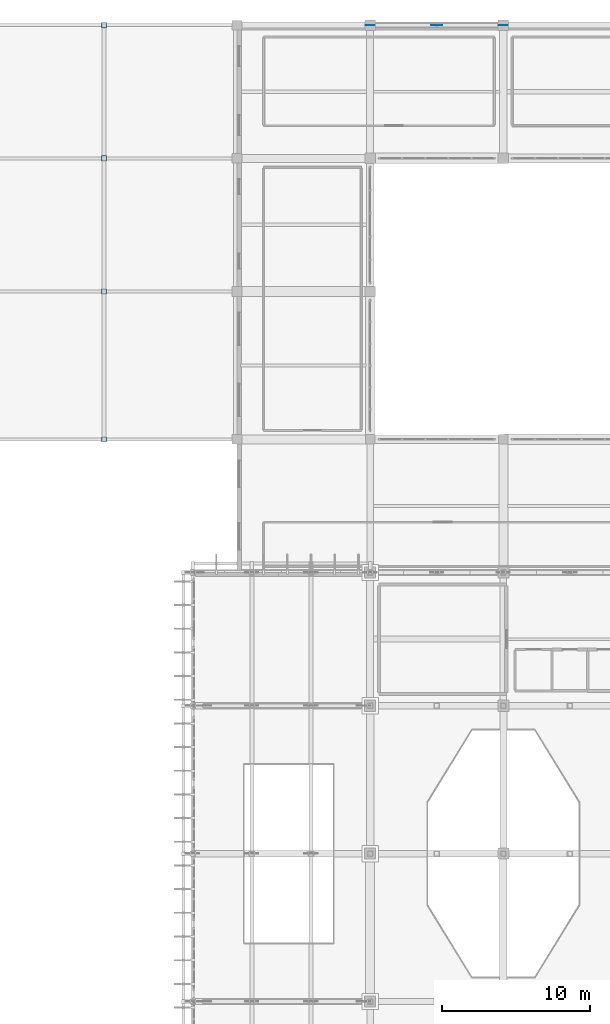
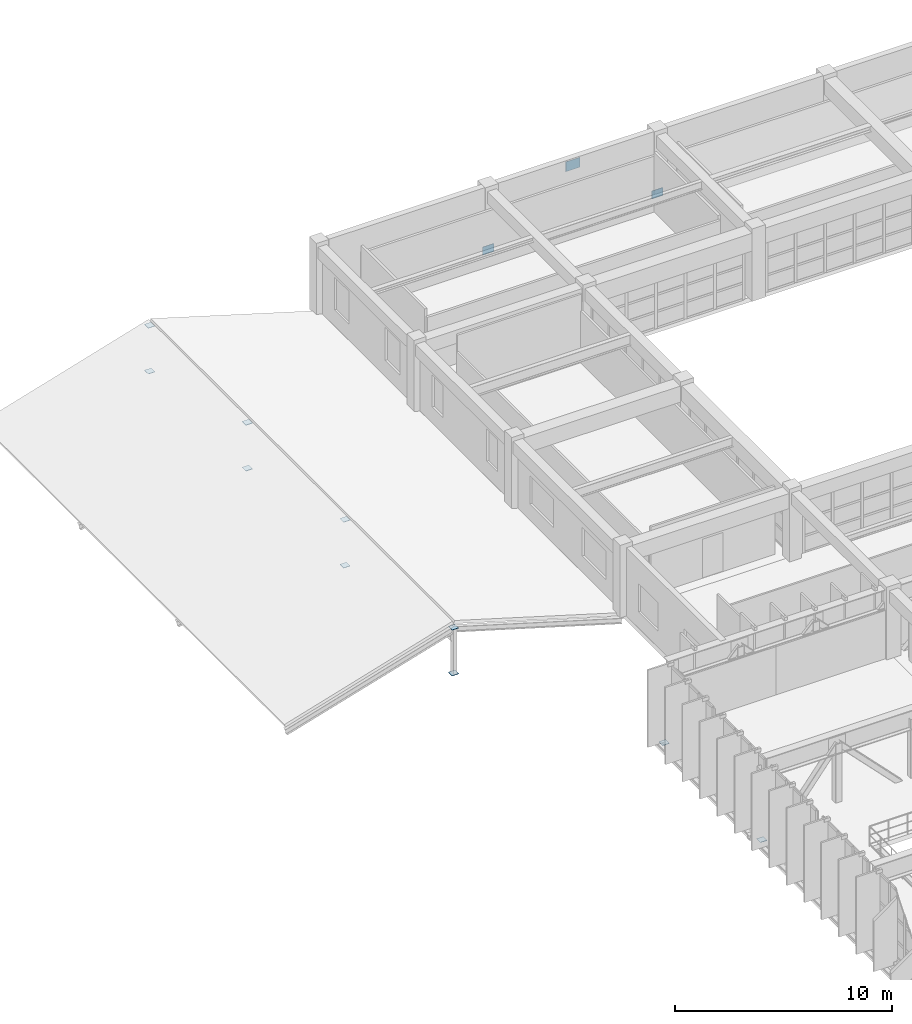
# One storey, part 103 of 130: 13 plates.
"""IFC4 building model written with IfcOpenShell, lengths in metres."""

from ifc_helpers import new_model, si_unit, direction, frame, origin, origin_2d, place, context, subcontext, project, spatial, rectangle, extrude, material, layer, layer_set, type_object, element, save


model = new_model("IFC4")

# Units and contexts
model_context = context("Model", 3, precision=1e-05, world=origin(), true_north=direction((0.0, 1.0)))
body_context = subcontext(model_context, "Body", "Model", "MODEL_VIEW")
ifc_project = project(units=[si_unit("LENGTHUNIT", "METRE"), si_unit("AREAUNIT", "SQUARE_METRE"), si_unit("VOLUMEUNIT", "CUBIC_METRE"), si_unit("PLANEANGLEUNIT", "RADIAN"), si_unit("MASSUNIT", "GRAM", prefix="KILO")], contexts=[model_context])

# Site, building, storey
site_placement = place(None, origin())
site = spatial("IfcSite", under=ifc_project, at=site_placement, CompositionType="ELEMENT")
building_placement = place(site_placement, origin())
building = spatial("IfcBuilding", under=site, at=building_placement, Name="Miravela Opera House", CompositionType="ELEMENT")
storey_placement = place(building_placement, frame((0.0, 0.0, 9.52001953125)))
storey = spatial("IfcBuildingStorey", under=building, at=storey_placement, Name="L02", CompositionType="ELEMENT", Elevation=9.52001953125)

# Plates
ifc_material = material(Name="Structural steel ASTM A572 Gr. 50", Category="steel")
ifc_layer_1 = layer(ifc_material, 0.02001953125)
ifc_layer_set_1 = layer_set([ifc_layer_1])
plate_type_1 = type_object("IfcPlateType", Name="STR-PL-CAP-350X350X20", PredefinedType="SHEET", material=ifc_layer_set_1)
for number, where, z_axis, x_axis, name in (
    (1, (15.0, 66.0, -0.819091796875), (0.0, 0.0, 1.0), (1.0, 0.0, 0.0), "HSS Welded End Cap Plate 029"),
    (2, (15.0, 75.0, -0.819091796875), (0.0, 0.0, 1.0), (1.0, 0.0, 0.0), "HSS Welded End Cap Plate 036"),
    (3, (9.0, 84.0, -0.263916015625), (0.0, 0.0, 1.0), (1.0, 0.0, 0.0), "HSS Welded End Cap Plate 086"),
    (4, (9.0, 84.0, 2.31396484375), (0.0, 0.0, 1.0), (1.0, 0.0, 0.0), "HSS Welded End Cap Plate 087"),
    (5, (9.0, 94.0, -0.263916015625), (0.0, 0.0, 1.0), (1.0, 0.0, 0.0), "HSS Welded End Cap Plate 088"),
    (6, (9.0, 94.0, 2.31396484375), (0.0, 0.0, 1.0), (1.0, 0.0, 0.0), "HSS Welded End Cap Plate 089"),
    (7, (9.0, 103.0, -0.263916015625), (0.0, 0.0, 1.0), (1.0, 0.0, 0.0), "HSS Welded End Cap Plate 090"),
    (8, (9.0, 103.0, 2.31396484375), (0.0, 0.0, 1.0), (1.0, 0.0, 0.0), "HSS Welded End Cap Plate 091"),
    (9, (9.0, 112.0, -0.263916015625), (0.0, 0.0, 1.0), (1.0, 0.0, 0.0), "HSS Welded End Cap Plate 092"),
    (10, (9.0, 112.0, 2.31396484375), (0.0, 0.0, 1.0), (1.0, 0.0, 0.0), "HSS Welded End Cap Plate 093"),
):
    element("IfcPlate", number, at=place(storey_placement, frame(where, z_axis=z_axis, x_axis=x_axis)), inside=storey, type_object=plate_type_1, Name=name, PredefinedType="SHEET", context=body_context, shape_type="SweptSolid", body=[
        extrude(rectangle(XDim=0.35009765625, YDim=0.35009765625, at=origin_2d()), origin(), (0.0, 0.0, 1.0), 0.02001953125),
    ])
ifc_layer_2 = layer(ifc_material, 0.01806640625)
ifc_layer_set_2 = layer_set([ifc_layer_2])
plate_type_2 = type_object("IfcPlateType", Name="STR-PL-GUS-600X450X18", PredefinedType="USERDEFINED", material=ifc_layer_set_2)
for number, where, z_axis, x_axis, name in (
    (11, (27.0, 112.0, 0.0751953125), (0.0, 0.0, 1.0), (1.0, 0.0, 0.0), "Brace Wall Cast-In Embed Plate 328"),
    (12, (36.0, 112.0, 0.0751953125), (0.0, 0.0, 1.0), (1.0, 0.0, 0.0), "Brace Wall Cast-In Embed Plate 329"),
):
    element("IfcPlate", number, at=place(storey_placement, frame(where, z_axis=z_axis, x_axis=x_axis)), inside=storey, type_object=plate_type_2, Name=name, ObjectType="GUSSET PLATE", PredefinedType="USERDEFINED", context=body_context, shape_type="SweptSolid", body=[
        extrude(rectangle(XDim=0.60009765625, YDim=0.01806640625, at=origin_2d()), origin(), (0.0, 0.0, 1.0), 0.449951171875),
    ])
ifc_layer_3 = layer(ifc_material, 0.02001953125)
ifc_layer_set_3 = layer_set([ifc_layer_3])
plate_type_3 = type_object("IfcPlateType", Name="STR-PL-GUS-750X550X20", PredefinedType="USERDEFINED", material=ifc_layer_set_3)
plate_placement = place(storey_placement, frame((31.5, 112.0, 3.21484375), z_axis=(0.0, 0.0, 1.0), x_axis=(1.0, 0.0, 0.0)))
element("IfcPlate", 13, at=plate_placement, inside=storey, type_object=plate_type_3, Name="Chevron Brace Apex Gusset Plate 327", ObjectType="GUSSET PLATE", PredefinedType="USERDEFINED", context=body_context, shape_type="SweptSolid", body=[
    extrude(rectangle(XDim=0.75, YDim=0.02001953125, at=origin_2d()), origin(), (0.0, 0.0, 1.0), 0.550048828125),
])

save(model, "model.ifc")
